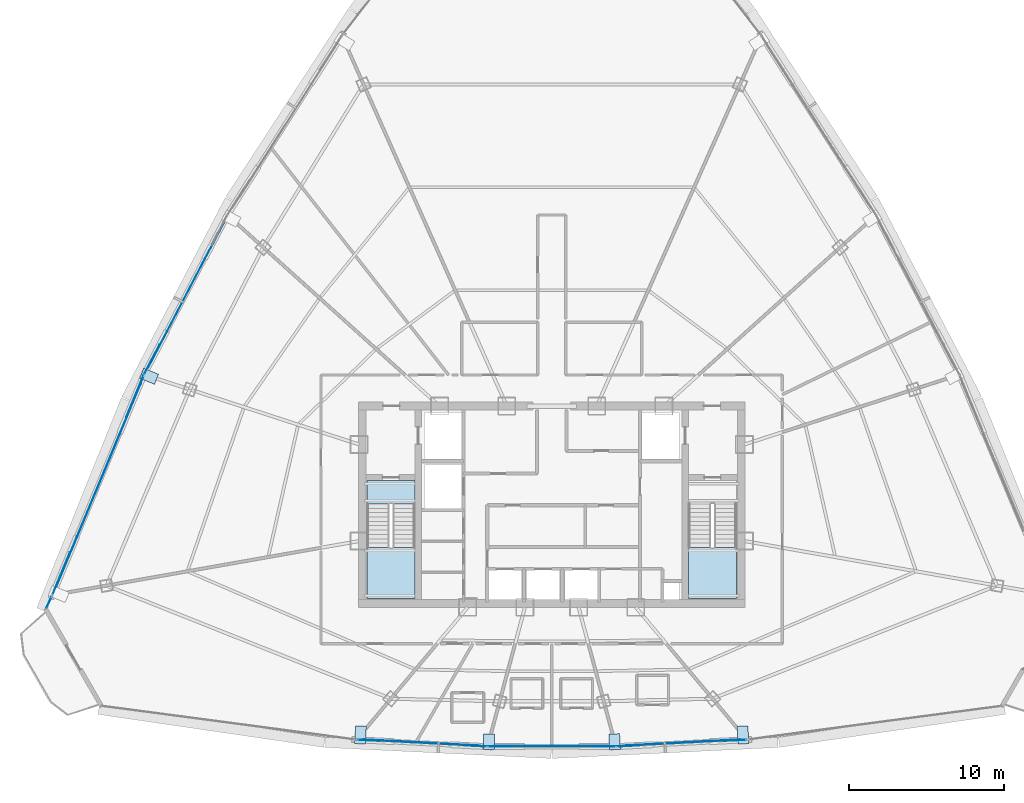
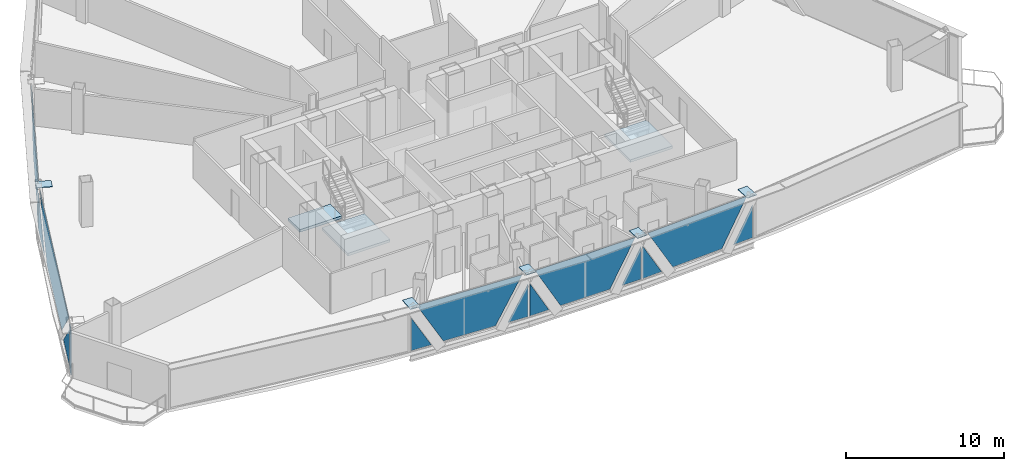
# One storey, part 30 of 39: 20 plates, 3 slabs, 8 elements without a shape of their own.
"""IFC4 building model written with IfcOpenShell, lengths in metres."""

from ifc_helpers import new_model, si_unit, direction, frame, origin, origin_2d, place, context, subcontext, project, spatial, polyline, rectangle, outline, extrude, source, transform, mapped, material, layer, layer_set, type_object, element, aggregate, save


model = new_model("IFC4")

# Units and contexts
model_context = context("Model", 3, precision=1e-05, world=origin(), true_north=direction((0.0, 1.0)))
body_context = subcontext(model_context, "Body", "Model", "MODEL_VIEW")
ifc_project = project(units=[si_unit("LENGTHUNIT", "METRE"), si_unit("AREAUNIT", "SQUARE_METRE"), si_unit("VOLUMEUNIT", "CUBIC_METRE"), si_unit("PLANEANGLEUNIT", "RADIAN"), si_unit("MASSUNIT", "GRAM", prefix="KILO"), si_unit("THERMODYNAMICTEMPERATUREUNIT", "KELVIN"), si_unit("POWERUNIT", "WATT")], contexts=[model_context])

# Site, building, storey
site_placement = place(None, origin())
site = spatial("IfcSite", under=ifc_project, at=site_placement, CompositionType="ELEMENT")
building_placement = place(site_placement, origin())
building = spatial("IfcBuilding", under=site, at=building_placement, Name="Yunzhuo Pagoda Commons", CompositionType="ELEMENT")
storey_placement = place(building_placement, frame((0.0, 0.0, 285.02001953125)))
storey = spatial("IfcBuildingStorey", under=building, at=storey_placement, Name="L71", CompositionType="ELEMENT", Elevation=285.02001953125)

# Curtain wall, plates
ifc_material_1 = material(Name="Anodized aluminium 6063-T6", Category="aluminium")
ifc_layer_1 = layer(ifc_material_1, 0.139892578125)
ifc_layer_set_1 = layer_set([ifc_layer_1], Name="Anodized aluminium 6063-T6")
curtain_wall_type = type_object("IfcCurtainWallType", Name="CW-HI High-Zone Ribbon Curtain Wall", PredefinedType="NOTDEFINED", material=ifc_layer_set_1)
curtain_wall_1_placement = place(storey_placement, origin())
curtain_wall_1 = element("IfcCurtainWall", 1, at=curtain_wall_1_placement, inside=storey, type_object=curtain_wall_type, Name="L71 curtain wall CW-L71-F1B2", PredefinedType="NOTDEFINED")
ifc_material_2 = material(Name="Tempered low-e double glazing", Category="glass")
ifc_layer_2 = layer(ifc_material_2, 0.02587890625)
ifc_layer_set_2 = layer_set([ifc_layer_2], Name="Tempered low-e double glazing")
plate_type_1 = type_object("IfcPlateType", Name="CW-HI-P Low-E Double Glazing 26", PredefinedType="CURTAIN_PANEL", material=ifc_layer_set_2)
plate_1_placement = place(storey_placement, frame((36.20947265625, 18.694091796875, 1.323974609375), z_axis=(-0.052821657014, -0.998603961814, 0.0), x_axis=(0.998603961814, -0.052821657014, 0.0)))
plate_1 = element("IfcPlate", 2, at=plate_1_placement, type_object=plate_type_1, Name="CW panel 1.1 lite 1", PredefinedType="CURTAIN_PANEL", context=body_context, shape_type="SweptSolid", body=[
    extrude(outline(polyline([(-0.718505859375, -1.268798828125), (0.718505859375, -1.268798828125), (-0.718505859375, 1.268798828125), (-0.718505859375, -1.268798828125)])), origin(), (0.0, 0.0, 1.0), 0.028076171875),
])
plate_2_placement = place(storey_placement, frame((39.6513671875, 18.542236328125, 1.73486328125), z_axis=(-0.052821657014, -0.998603961814, 0.0), x_axis=(0.998603961814, -0.052821657014, 0.0)))
plate_2 = element("IfcPlate", 3, at=plate_2_placement, type_object=plate_type_1, Name="CW panel 1.1 lite 2", PredefinedType="CURTAIN_PANEL", context=body_context, shape_type="SweptSolid", body=[
    extrude(outline(polyline([(-3.755859375, 1.679931640625), (-1.853515625, -1.679931640625), (1.853515625, -1.679931640625), (3.755859375, 1.679931640625), (-3.755859375, 1.679931640625)])), origin(), (0.0, 0.0, 1.0), 0.028076171875),
])
plate_3_placement = place(storey_placement, frame((43.09033203125, 18.330078125, 1.323974609375), z_axis=(-0.052821657014, -0.998603961814, 0.0), x_axis=(0.998603961814, -0.052821657014, 0.0)))
plate_3 = element("IfcPlate", 4, at=plate_3_placement, type_object=plate_type_1, Name="CW panel 1.1 lite 3", PredefinedType="CURTAIN_PANEL", context=body_context, shape_type="SweptSolid", body=[
    extrude(outline(polyline([(-0.718505859375, -1.268798828125), (0.718505859375, -1.268798828125), (0.718505859375, 1.268798828125), (-0.718505859375, -1.268798828125)])), origin(), (0.0, 0.0, 1.0), 0.028076171875),
])
aggregate(curtain_wall_1, [plate_1, plate_2, plate_3])

curtain_wall_2_placement = place(storey_placement, origin())
curtain_wall_2 = element("IfcCurtainWall", 5, at=curtain_wall_2_placement, inside=storey, type_object=curtain_wall_type, Name="L71 curtain wall CW-L71-F1B3", PredefinedType="NOTDEFINED")
plate_4_placement = place(storey_placement, frame((44.625732421875, 18.2890625, 1.316162109375), z_axis=(0.0, -1.0, 0.0), x_axis=(1.0, 0.0, 0.0)))
plate_4 = element("IfcPlate", 6, at=plate_4_placement, type_object=plate_type_1, Name="CW panel 1.1 lite 1", PredefinedType="CURTAIN_PANEL", context=body_context, shape_type="SweptSolid", body=[
    extrude(outline(polyline([(-0.69873046875, -1.26123046875), (0.69873046875, -1.26123046875), (-0.69873046875, 1.26123046875), (-0.69873046875, -1.26123046875)])), origin(), (0.0, 0.0, 1.0), 0.028076171875),
])
plate_5_placement = place(storey_placement, frame((48.0, 18.3193359375, 1.73486328125), z_axis=(0.0, -1.0, 0.0), x_axis=(1.0, 0.0, 0.0)))
plate_5 = element("IfcPlate", 7, at=plate_5_placement, type_object=plate_type_1, Name="CW panel 1.1 lite 2", PredefinedType="CURTAIN_PANEL", context=body_context, shape_type="SweptSolid", body=[
    extrude(outline(polyline([(-3.668212890625, 1.679931640625), (-1.806640625, -1.679931640625), (1.806640625, -1.679931640625), (3.668212890625, 1.679931640625), (-3.668212890625, 1.679931640625)])), origin(), (0.0, 0.0, 1.0), 0.028076171875),
])
plate_6_placement = place(storey_placement, frame((51.374267578125, 18.2890625, 1.316162109375), z_axis=(0.0, -1.0, 0.0), x_axis=(1.0, 0.0, 0.0)))
plate_6 = element("IfcPlate", 8, at=plate_6_placement, type_object=plate_type_1, Name="CW panel 1.1 lite 3", PredefinedType="CURTAIN_PANEL", context=body_context, shape_type="SweptSolid", body=[
    extrude(outline(polyline([(-0.69873046875, -1.26123046875), (0.69873046875, -1.26123046875), (0.69873046875, 1.26123046875), (-0.69873046875, -1.26123046875)])), origin(), (0.0, 0.0, 1.0), 0.028076171875),
])
aggregate(curtain_wall_2, [plate_4, plate_5, plate_6])

curtain_wall_3_placement = place(storey_placement, origin())
curtain_wall_3 = element("IfcCurtainWall", 9, at=curtain_wall_3_placement, inside=storey, type_object=curtain_wall_type, Name="L71 curtain wall CW-L71-F1B4", PredefinedType="NOTDEFINED")
plate_7_placement = place(storey_placement, frame((52.90966796875, 18.330078125, 1.323974609375), z_axis=(0.052821657014, -0.998603961814, 0.0), x_axis=(0.998603961814, 0.052821657014, 0.0)))
plate_7 = element("IfcPlate", 10, at=plate_7_placement, type_object=plate_type_1, Name="CW panel 1.1 lite 1", PredefinedType="CURTAIN_PANEL", context=body_context, shape_type="SweptSolid", body=[
    extrude(outline(polyline([(-0.718505859375, -1.268798828125), (0.718505859375, -1.268798828125), (-0.718505859375, 1.268798828125), (-0.718505859375, -1.268798828125)])), origin(), (0.0, 0.0, 1.0), 0.028076171875),
])
plate_8_placement = place(storey_placement, frame((56.3486328125, 18.542236328125, 1.73486328125), z_axis=(0.052821657014, -0.998603961814, 0.0), x_axis=(0.998603961814, 0.052821657014, 0.0)))
plate_8 = element("IfcPlate", 11, at=plate_8_placement, type_object=plate_type_1, Name="CW panel 1.1 lite 2", PredefinedType="CURTAIN_PANEL", context=body_context, shape_type="SweptSolid", body=[
    extrude(outline(polyline([(-3.755859375, 1.679931640625), (-1.853515625, -1.679931640625), (1.853515625, -1.679931640625), (3.755859375, 1.679931640625), (-3.755859375, 1.679931640625)])), origin(), (0.0, 0.0, 1.0), 0.028076171875),
])
plate_9_placement = place(storey_placement, frame((59.79052734375, 18.694091796875, 1.323974609375), z_axis=(0.052821657014, -0.998603961814, 0.0), x_axis=(0.998603961814, 0.052821657014, 0.0)))
plate_9 = element("IfcPlate", 12, at=plate_9_placement, type_object=plate_type_1, Name="CW panel 1.1 lite 3", PredefinedType="CURTAIN_PANEL", context=body_context, shape_type="SweptSolid", body=[
    extrude(outline(polyline([(-0.718505859375, -1.268798828125), (0.718505859375, -1.268798828125), (0.718505859375, 1.268798828125), (-0.718505859375, -1.268798828125)])), origin(), (0.0, 0.0, 1.0), 0.028076171875),
])
aggregate(curtain_wall_3, [plate_7, plate_8, plate_9])

curtain_wall_4_placement = place(storey_placement, origin())
curtain_wall_4 = element("IfcCurtainWall", 13, at=curtain_wall_4_placement, inside=storey, type_object=curtain_wall_type, Name="L71 curtain wall CW-L71-F3B3", PredefinedType="NOTDEFINED")
plate_10_placement = place(storey_placement, frame((24.4736328125, 47.34521484375, 1.73486328125), z_axis=(-0.886404488049, 0.462911528876, 0.0), x_axis=(-0.462911528876, -0.886404488049, 0.0)))
plate_10 = element("IfcPlate", 14, at=plate_10_placement, type_object=plate_type_1, Name="CW panel 1.1 lite 2", PredefinedType="CURTAIN_PANEL", context=body_context, shape_type="SweptSolid", body=[
    extrude(outline(polyline([(-5.271484375, 1.679931640625), (-2.6611328125, -1.679931640625), (2.6611328125, -1.679931640625), (5.271484375, 1.679931640625), (-5.271484375, 1.679931640625)])), origin(), (0.0, 0.0, 1.0), 0.028076171875),
])
plate_11_placement = place(storey_placement, frame((22.28076171875, 43.211181640625, 1.4140625), z_axis=(-0.886404488049, 0.462911528876, 0.0), x_axis=(-0.462911528876, -0.886404488049, 0.0)))
plate_11 = element("IfcPlate", 15, at=plate_11_placement, type_object=plate_type_1, Name="CW panel 1.1 lite 3", PredefinedType="CURTAIN_PANEL", context=body_context, shape_type="SweptSolid", body=[
    extrude(outline(polyline([(-1.055908203125, -1.359130859375), (1.055908203125, -1.359130859375), (1.055908203125, 1.359130859375), (-1.055908203125, -1.359130859375)])), origin(), (0.0, 0.0, 1.0), 0.028076171875),
])
aggregate(curtain_wall_4, [plate_10, plate_11])

curtain_wall_5_placement = place(storey_placement, origin())
curtain_wall_5 = element("IfcCurtainWall", 16, at=curtain_wall_5_placement, inside=storey, type_object=curtain_wall_type, Name="L71 curtain wall CW-L71-F3B4", PredefinedType="NOTDEFINED")
plate_12_placement = place(storey_placement, frame((21.182373046875, 40.822509765625, 1.46875), z_axis=(-0.923393531316, 0.383854642182, 0.0), x_axis=(-0.383854642182, -0.923393531316, 0.0)))
plate_12 = element("IfcPlate", 17, at=plate_12_placement, type_object=plate_type_1, Name="CW panel 1.1 lite 1", PredefinedType="CURTAIN_PANEL", context=body_context, shape_type="SweptSolid", body=[
    extrude(outline(polyline([(-1.456787109375, -1.413818359375), (1.456787109375, -1.413818359375), (-1.456787109375, 1.413818359375), (-1.456787109375, -1.413818359375)])), origin(), (0.0, 0.0, 1.0), 0.028076171875),
])
plate_13_placement = place(storey_placement, frame((18.841552734375, 35.113037109375, 1.73486328125), z_axis=(-0.923393531316, 0.383854642182, 0.0), x_axis=(-0.383854642182, -0.923393531316, 0.0)))
plate_13 = element("IfcPlate", 18, at=plate_13_placement, type_object=plate_type_1, Name="CW panel 1.1 lite 2", PredefinedType="CURTAIN_PANEL", context=body_context, shape_type="SweptSolid", body=[
    extrude(outline(polyline([(-7.085205078125, 1.679931640625), (-3.622802734375, -1.679931640625), (3.622802734375, -1.679931640625), (7.085205078125, 1.679931640625), (-7.085205078125, 1.679931640625)])), origin(), (0.0, 0.0, 1.0), 0.028076171875),
])
plate_14_placement = place(storey_placement, frame((16.44482421875, 29.42626953125, 1.46875), z_axis=(-0.923393531316, 0.383854642182, 0.0), x_axis=(-0.383854642182, -0.923393531316, 0.0)))
plate_14 = element("IfcPlate", 19, at=plate_14_placement, type_object=plate_type_1, Name="CW panel 1.1 lite 3", PredefinedType="CURTAIN_PANEL", context=body_context, shape_type="SweptSolid", body=[
    extrude(outline(polyline([(-1.456787109375, -1.413818359375), (1.456787109375, -1.413818359375), (1.456787109375, 1.413818359375), (-1.456787109375, -1.413818359375)])), origin(), (0.0, 0.0, 1.0), 0.028076171875),
])
aggregate(curtain_wall_5, [plate_12, plate_13, plate_14])

# Stair, slabs
ifc_material_3 = material(Name="Concrete C40", Category="concrete")
stair_type_1 = type_object("IfcStairType", Name="ST-C1 Core Smokeproof Stair ST1", PredefinedType="HALF_TURN_STAIR", material=ifc_material_3)
stair_1_placement = place(storey_placement, origin())
stair_1 = element("IfcStair", 20, at=stair_1_placement, inside=storey, type_object=stair_type_1, Name="L71 Core smokeproof stair ST1", PredefinedType="HALF_TURN_STAIR")
ifc_layer_3 = layer(ifc_material_3, 0.199951171875)
ifc_layer_set_3 = layer_set([ifc_layer_3], Name="Concrete C40")
slab_type_1 = type_object("IfcSlabType", Name="SL-LND1 Stair Landing Slab 200", PredefinedType="LANDING", material=ifc_layer_set_3)
slab_1_placement = place(storey_placement, frame((0.0, 0.0, 1.6650390625)))
slab_1 = element("IfcSlab", 21, at=slab_1_placement, type_object=slab_type_1, Name="ST1 landing 1", PredefinedType="LANDING", context=body_context, shape_type="SweptSolid", body=[
    extrude(outline(polyline([(36.10009765625, 31.10009765625), (36.10009765625, 27.800048828125), (39.199951171875, 27.800048828125), (39.199951171875, 31.10009765625), (36.10009765625, 31.10009765625)])), origin(), (0.0, 0.0, 1.0), 0.199951171875),
])
slab_2_placement = place(storey_placement, frame((0.0, 0.0, -0.199951171875)))
slab_2 = element("IfcSlab", 22, at=slab_2_placement, type_object=slab_type_1, Name="ST1 floor landing L71", PredefinedType="LANDING", context=body_context, shape_type="SweptSolid", body=[
    extrude(outline(polyline([(36.10009765625, 35.39990234375), (36.10009765625, 33.89990234375), (39.199951171875, 33.89990234375), (39.199951171875, 35.39990234375), (36.10009765625, 35.39990234375)])), origin(), (0.0, 0.0, 1.0), 0.199951171875),
])
aggregate(stair_1, [slab_1, slab_2])

# Stair, slab
stair_type_2 = type_object("IfcStairType", Name="ST-C2 Core Smokeproof Stair ST2", PredefinedType="HALF_TURN_STAIR", material=ifc_material_3)
stair_2_placement = place(storey_placement, origin())
stair_2 = element("IfcStair", 23, at=stair_2_placement, inside=storey, type_object=stair_type_2, Name="L71 Core smokeproof stair ST2", PredefinedType="HALF_TURN_STAIR")
ifc_layer_4 = layer(ifc_material_3, 0.201904296875)
ifc_layer_set_4 = layer_set([ifc_layer_4], Name="Concrete C40")
slab_type_2 = type_object("IfcSlabType", Name="SL-LND2 Stair Landing Slab 202", PredefinedType="LANDING", material=ifc_layer_set_4)
slab_3_placement = place(storey_placement, frame((0.0, 0.0, 1.6650390625)))
slab_3 = element("IfcSlab", 24, at=slab_3_placement, type_object=slab_type_2, Name="ST2 landing 1", PredefinedType="LANDING", context=body_context, shape_type="SweptSolid", body=[
    extrude(outline(polyline([(56.800048828125, 31.10009765625), (56.800048828125, 27.800048828125), (59.89990234375, 27.800048828125), (59.89990234375, 31.10009765625), (56.800048828125, 31.10009765625)])), origin(), (0.0, 0.0, 1.0), 0.199951171875),
])
aggregate(stair_2, [slab_3])

# Plates
ifc_material_4 = material(Name="Structural steel Q355B", Category="steel")
ifc_layer_5 = layer(ifc_material_4, 0.028076171875)
ifc_layer_set_5 = layer_set([ifc_layer_5], Name="Structural steel Q355B")
plate_type_2 = type_object("IfcPlateType", Name="SP-ND1 Lattice Node Cap Plate 800x500x28", PredefinedType="USERDEFINED", material=ifc_layer_set_5)
shared_shape_1 = source(origin(), body_context, "Body", "SweptSolid", [
    extrude(rectangle(XDim=0.699951171875, YDim=1.0078125, at=origin_2d()), origin(), (0.0, 0.0, 1.0), 0.035888671875),
])
for number, where, z_axis, x_axis, name in (
    (25, (43.951904296875, 18.5927734375, 3.43212890625), (0.0, 0.0, 1.0), (1.0, 0.0, 0.0), "L71 setback lattice tie plate F1.2L"),
    (26, (52.048095703125, 18.5927734375, 3.43212890625), (0.0, 0.0, 1.0), (0.998603839336, 0.052823972429, 0.0), "L71 setback lattice tie plate F1.3L"),
):
    element("IfcPlate", number, at=place(storey_placement, frame(where, z_axis=z_axis, x_axis=x_axis)), inside=storey, type_object=plate_type_2, Name=name, ObjectType="STIFFENER_PLATE", PredefinedType="USERDEFINED", context=body_context, shape_type="MappedRepresentation", body=[
        mapped(shared_shape_1, transform((0.0, 0.0, 0.0), scale=1.0)),
    ])
shared_shape_2 = source(origin(), body_context, "Body", "SweptSolid", [
    extrude(rectangle(XDim=0.699951171875, YDim=1.149169921875, at=origin_2d()), origin(), (0.0, 0.0, 1.0), 0.035888671875),
])
for number, where, z_axis, x_axis, name in (
    (27, (35.688232421875, 19.02734375, 3.43212890625), (0.0, 0.0, 1.0), (0.998603839336, -0.052823972429, 0.0), "L71 setback lattice tie plate F1.1L"),
    (28, (60.311767578125, 19.02734375, 3.43212890625), (0.0, 0.0, 1.0), (0.998603839336, 0.052823972429, 0.0), "L71 setback lattice tie plate F1.3R"),
):
    element("IfcPlate", number, at=place(storey_placement, frame(where, z_axis=z_axis, x_axis=x_axis)), inside=storey, type_object=plate_type_2, Name=name, ObjectType="STIFFENER_PLATE", PredefinedType="USERDEFINED", context=body_context, shape_type="MappedRepresentation", body=[
        mapped(shared_shape_2, transform((0.0, 0.0, 0.0), scale=1.0)),
    ])
shared_shape_3 = source(origin(), body_context, "Body", "SweptSolid", [
    extrude(rectangle(XDim=0.699951171875, YDim=1.03271484375, at=origin_2d()), origin(), (0.0, 0.0, 1.0), 0.035888671875),
])
plate_15_placement = place(storey_placement, frame((22.076416015625, 42.123046875, 3.43212890625), z_axis=(0.0, 0.0, 1.0), x_axis=(-0.383860227441, -0.923391209504, 0.0)))
element("IfcPlate", 29, at=plate_15_placement, inside=storey, type_object=plate_type_2, Name="L71 setback lattice tie plate F3.3L", ObjectType="STIFFENER_PLATE", PredefinedType="USERDEFINED", context=body_context, shape_type="MappedRepresentation", body=[
    mapped(shared_shape_3, transform((0.0, 0.0, 0.0), scale=1.0)),
])

# Curtain wall, plate
curtain_wall_6_placement = place(storey_placement, origin())
curtain_wall_6 = element("IfcCurtainWall", 30, at=curtain_wall_6_placement, inside=storey, type_object=curtain_wall_type, Name="L71 curtain wall CW-L71-F3B5", PredefinedType="NOTDEFINED")
shared_shape_4 = source(origin(), body_context, "Body", "SweptSolid", [
    extrude(rectangle(XDim=0.802734375, YDim=0.028076171875, at=origin_2d()), origin(), (0.0, 0.0, 1.0), 3.360107421875),
])
plate_16_placement = place(storey_placement, frame((15.623779296875, 27.544677734375, 0.0546875), z_axis=(0.0, 0.0, 1.0), x_axis=(-0.421407442389, -0.906871417291, 0.0)))
plate_16 = element("IfcPlate", 31, at=plate_16_placement, type_object=plate_type_1, Name="CW panel 1.1", PredefinedType="CURTAIN_PANEL", context=body_context, shape_type="MappedRepresentation", body=[
    mapped(shared_shape_4, transform((0.0, 0.0, 0.0), scale=1.0)),
])
aggregate(curtain_wall_6, [plate_16])

save(model, "model.ifc")
